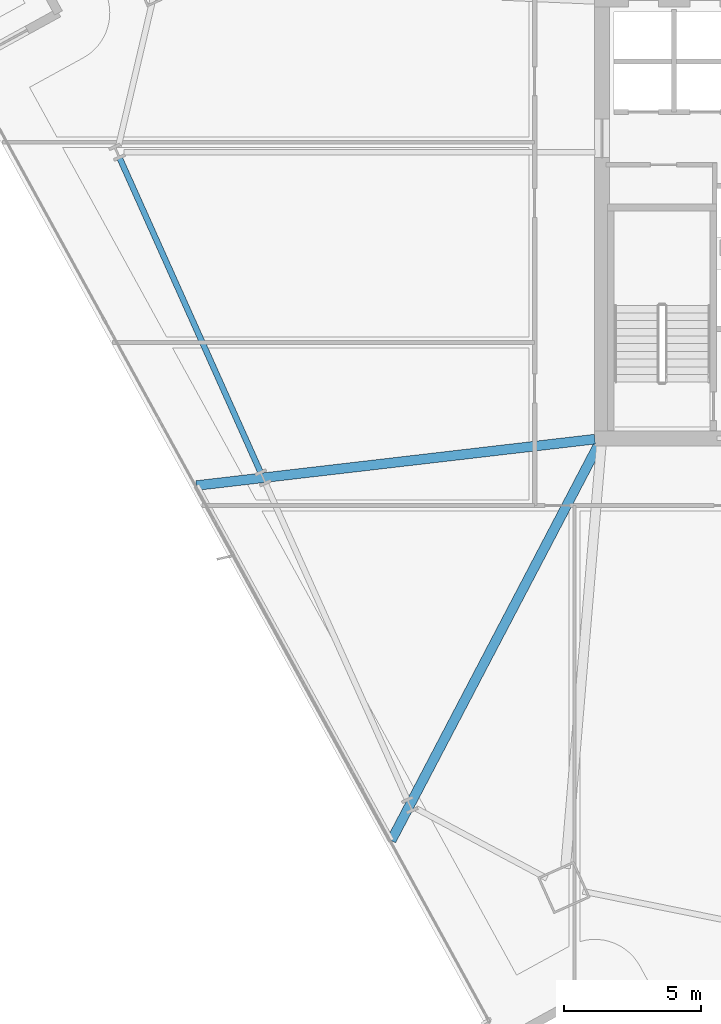
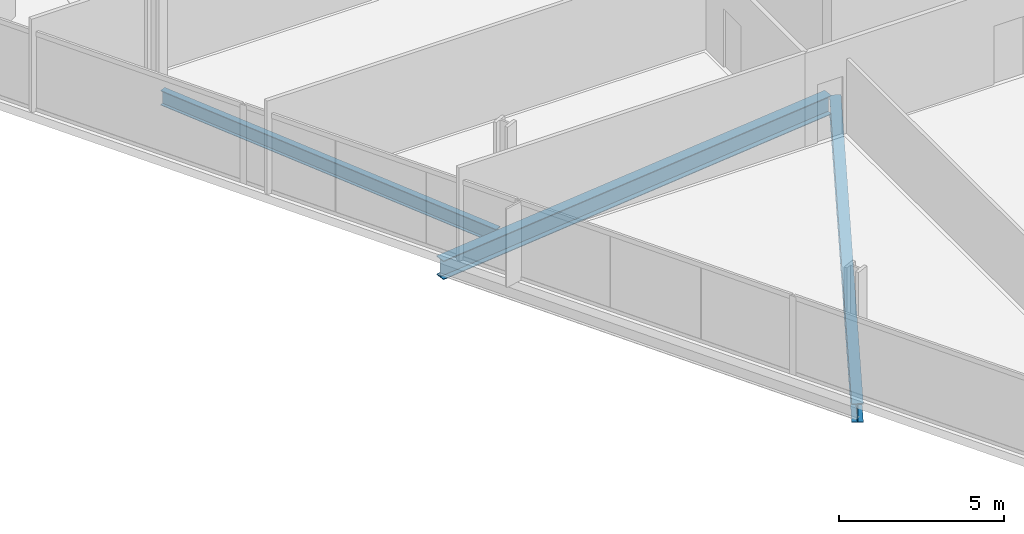
# One storey, part 6 of 33: 3 beams.
"""IFC4 building model written with IfcOpenShell, lengths in metres."""

from ifc_helpers import new_model, si_unit, direction, frame, origin, origin_2d, place, context, subcontext, project, spatial, i_section, extrude, material, material_profile, profile_set, type_object, element, save


model = new_model("IFC4")

# Units and contexts
model_context = context("Model", 3, precision=1e-05, world=origin(), true_north=direction((0.0, 1.0)))
body_context = subcontext(model_context, "Body", "Model", "MODEL_VIEW")
ifc_project = project(units=[si_unit("LENGTHUNIT", "METRE"), si_unit("AREAUNIT", "SQUARE_METRE"), si_unit("VOLUMEUNIT", "CUBIC_METRE"), si_unit("PLANEANGLEUNIT", "RADIAN"), si_unit("MASSUNIT", "GRAM", prefix="KILO")], contexts=[model_context])

# Site, building, storey
site_placement = place(None, origin())
site = spatial("IfcSite", under=ifc_project, at=site_placement, CompositionType="ELEMENT")
building_placement = place(site_placement, origin())
building = spatial("IfcBuilding", under=site, at=building_placement, Name="Haldenkirk Collegiate Tower", CompositionType="ELEMENT")
storey_placement = place(building_placement, frame((0.0, 0.0, 124.199951171875)))
storey = spatial("IfcBuildingStorey", under=building, at=storey_placement, Name="L30", CompositionType="ELEMENT", Elevation=124.199951171875)

# Beams
ifc_material = material(Name="Steel ASTM A992 Grade 50", Category="steel")
ifc_material_profile_1 = material_profile(ifc_material, i_section(OverallWidth=0.35498046875, OverallDepth=0.696044921875, WebThickness=0.015380859375, FlangeThickness=0.02490234375, at=origin_2d()), Name="W27X146")
ifc_profile_set_1 = profile_set([ifc_material_profile_1], Name="Steel ASTM A992 Grade 50")
beam_type_1 = type_object("IfcBeamType", Name="BM-GIRDER-W27X146", PredefinedType="BEAM", material=ifc_profile_set_1)
beam_1_placement = place(storey_placement, frame((12.214111328125, 16.278076171875, -0.64794921875), z_axis=(0.993287285812, 0.115673539945, 0.0), x_axis=(-0.115673539945, 0.993287285812, 0.0)))
element("IfcBeam", 1, at=beam_1_placement, inside=storey, type_object=beam_type_1, Name="L30 primary floor girder 15", PredefinedType="BEAM", context=body_context, shape_type="SweptSolid", body=[
    extrude(i_section(OverallWidth=0.35498046875, OverallDepth=0.696044921875, WebThickness=0.015380859375, FlangeThickness=0.02490234375, at=origin_2d()), origin(), (0.0, 0.0, 1.0), 14.630615234375),
])
beam_2_placement = place(storey_placement, frame((19.318603515625, 3.32763671875, -0.64794921875), z_axis=(0.463802782305, 0.885938473669, 0.0), x_axis=(-0.885938473669, 0.463802782305, 0.0)))
element("IfcBeam", 2, at=beam_2_placement, inside=storey, type_object=beam_type_1, Name="L30 primary floor girder 16", PredefinedType="BEAM", context=body_context, shape_type="SweptSolid", body=[
    extrude(i_section(OverallWidth=0.35498046875, OverallDepth=0.696044921875, WebThickness=0.015380859375, FlangeThickness=0.02490234375, at=origin_2d()), origin(), (0.0, 0.0, 1.0), 16.306396484375),
])
ifc_material_profile_2 = material_profile(ifc_material, i_section(OverallWidth=0.2119140625, OverallDepth=0.5439453125, WebThickness=0.01318359375, FlangeThickness=0.021240234375, at=origin_2d()), Name="W21X83")
ifc_profile_set_2 = profile_set([ifc_material_profile_2], Name="Steel ASTM A992 Grade 50")
beam_type_2 = type_object("IfcBeamType", Name="BM-SPANDREL-W21X83", PredefinedType="SPANDREL", material=ifc_profile_set_2)
beam_3_placement = place(storey_placement, frame((9.418212890625, 28.212890625, -0.572021484375), z_axis=(0.409115233697, -0.912482726169, 0.0), x_axis=(0.912482726169, 0.409115233697, 0.0)))
element("IfcBeam", 3, at=beam_3_placement, inside=storey, type_object=beam_type_2, Name="L30 perimeter spandrel beam 14", PredefinedType="SPANDREL", context=body_context, shape_type="SweptSolid", body=[
    extrude(i_section(OverallWidth=0.2119140625, OverallDepth=0.5439453125, WebThickness=0.01318359375, FlangeThickness=0.021240234375, at=origin_2d()), origin(), (0.0, 0.0, 1.0), 12.524169921875),
])

save(model, "model.ifc")
